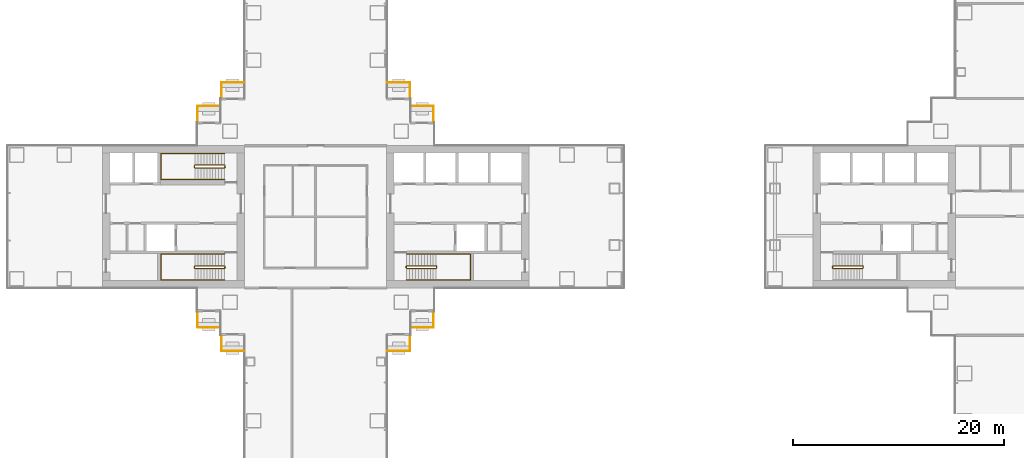
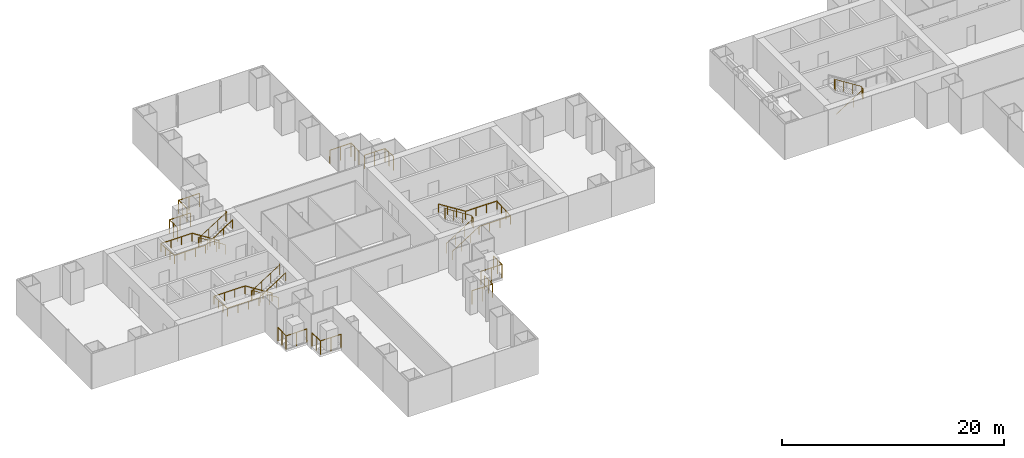
# One storey, part 19 of 21: 15 railings.
"""IFC4 building model written with IfcOpenShell, lengths in metres."""

from ifc_helpers import new_model, si_unit, direction, frame, origin, origin_2d, place, context, subcontext, project, spatial, circle, extrude, material, type_object, element, save


model = new_model("IFC4")

# Units and contexts
model_context = context("Model", 3, precision=1e-05, world=origin(), true_north=direction((0.0, 1.0)))
body_context = subcontext(model_context, "Body", "Model", "MODEL_VIEW")
ifc_project = project(units=[si_unit("LENGTHUNIT", "METRE"), si_unit("AREAUNIT", "SQUARE_METRE"), si_unit("VOLUMEUNIT", "CUBIC_METRE"), si_unit("PLANEANGLEUNIT", "RADIAN"), si_unit("MASSUNIT", "GRAM", prefix="KILO")], contexts=[model_context])

# Site, building, storey
site_placement = place(None, origin())
site = spatial("IfcSite", under=ifc_project, at=site_placement, CompositionType="ELEMENT")
building_placement = place(site_placement, origin())
building = spatial("IfcBuilding", under=site, at=building_placement, Name="Shamsa Quay Exchange Towers", CompositionType="ELEMENT")
storey_placement = place(building_placement, frame((0.0, 0.0, 65.39990234375)))
storey = spatial("IfcBuildingStorey", under=building, at=storey_placement, Name="L14", CompositionType="ELEMENT", Elevation=65.39990234375)

# Railings
ifc_material_1 = material(Name="Steel S355, black powder-coated", Category="steel")
railing_type_1 = type_object("IfcRailingType", Name="BALCONY GUARD 1500", PredefinedType="GUARDRAIL", material=ifc_material_1)
for number, where, name in (
    (1, (-22.550048828125, 9.02099609375, 0.0), "Balcony guard T1-PKEN L14"),
    (2, (-24.800048828125, 11.27099609375, 0.0), "Balcony guard T1-PKEN L14"),
):
    element("IfcRailing", number, at=place(storey_placement, frame(where)), inside=storey, type_object=railing_type_1, Name=name, PredefinedType="GUARDRAIL", context=body_context, shape_type="SweptSolid", body=[
        extrude(circle(Radius=0.02392578125, at=origin_2d()), frame((0.0, 0.0, 1.47607421875), z_axis=(0.0, 1.0, 0.0), x_axis=(-1.0, 0.0, 0.0)), (0.0, 0.0, 1.0), 1.47900390625),
        extrude(circle(Radius=0.02392578125, at=origin_2d()), frame((0.0, 1.47900390625, 1.47607421875), z_axis=(-1.0, 0.0, 0.0), x_axis=(0.0, -1.0, 0.0)), (0.0, 0.0, 1.0), 2.161865234375),
        extrude(circle(Radius=0.02099609375, at=origin_2d()), origin(), (0.0, 0.0, 1.0), 1.451904296875),
        extrude(circle(Radius=0.02099609375, at=origin_2d()), frame((0.0, 0.739501953125, 0.0)), (0.0, 0.0, 1.0), 1.451904296875),
        extrude(circle(Radius=0.02099609375, at=origin_2d()), frame((0.0, 1.47900390625, 0.0)), (0.0, 0.0, 1.0), 1.451904296875),
        extrude(circle(Radius=0.02099609375, at=origin_2d()), frame((-1.0810546875, 1.47900390625, 0.0)), (0.0, 0.0, 1.0), 1.451904296875),
        extrude(circle(Radius=0.02099609375, at=origin_2d()), frame((-2.161865234375, 1.47900390625, 0.0)), (0.0, 0.0, 1.0), 1.451904296875),
    ])
for number, where, name in (
    (3, (-24.7119140625, -10.5, 0.0), "Balcony guard T1-PKES L14"),
    (4, (-26.9619140625, -12.75, 0.0), "Balcony guard T1-PKES L14"),
):
    element("IfcRailing", number, at=place(storey_placement, frame(where)), inside=storey, type_object=railing_type_1, Name=name, PredefinedType="GUARDRAIL", context=body_context, shape_type="SweptSolid", body=[
        extrude(circle(Radius=0.02392578125, at=origin_2d()), frame((0.0, 0.0, 1.47607421875), z_axis=(1.0, 0.0, 0.0), x_axis=(0.0, 1.0, 0.0)), (0.0, 0.0, 1.0), 2.161865234375),
        extrude(circle(Radius=0.02392578125, at=origin_2d()), frame((2.161865234375, 0.0, 1.47607421875), z_axis=(0.0, 1.0, 0.0), x_axis=(-1.0, 0.0, 0.0)), (0.0, 0.0, 1.0), 1.47900390625),
        extrude(circle(Radius=0.02099609375, at=origin_2d()), origin(), (0.0, 0.0, 1.0), 1.451904296875),
        extrude(circle(Radius=0.02099609375, at=origin_2d()), frame((1.0810546875, 0.0, 0.0)), (0.0, 0.0, 1.0), 1.451904296875),
        extrude(circle(Radius=0.02099609375, at=origin_2d()), frame((2.161865234375, 0.0, 0.0)), (0.0, 0.0, 1.0), 1.451904296875),
        extrude(circle(Radius=0.02099609375, at=origin_2d()), frame((2.161865234375, 0.739501953125, 0.0)), (0.0, 0.0, 1.0), 1.451904296875),
        extrude(circle(Radius=0.02099609375, at=origin_2d()), frame((2.161865234375, 1.47900390625, 0.0)), (0.0, 0.0, 1.0), 1.451904296875),
    ])
for number, where, name in (
    (5, (-40.5380859375, 12.75, 0.0), "Balcony guard T1-PKWN L14"),
    (6, (-42.7880859375, 10.5, 0.0), "Balcony guard T1-PKWN L14"),
):
    element("IfcRailing", number, at=place(storey_placement, frame(where)), inside=storey, type_object=railing_type_1, Name=name, PredefinedType="GUARDRAIL", context=body_context, shape_type="SweptSolid", body=[
        extrude(circle(Radius=0.02392578125, at=origin_2d()), frame((0.0, 0.0, 1.47607421875), z_axis=(-1.0, 0.0, 0.0), x_axis=(0.0, -1.0, 0.0)), (0.0, 0.0, 1.0), 2.161865234375),
        extrude(circle(Radius=0.02392578125, at=origin_2d()), frame((-2.161865234375, 0.0, 1.47607421875), z_axis=(0.0, -1.0, 0.0), x_axis=(1.0, 0.0, 0.0)), (0.0, 0.0, 1.0), 1.47900390625),
        extrude(circle(Radius=0.02099609375, at=origin_2d()), origin(), (0.0, 0.0, 1.0), 1.451904296875),
        extrude(circle(Radius=0.02099609375, at=origin_2d()), frame((-1.0810546875, 0.0, 0.0)), (0.0, 0.0, 1.0), 1.451904296875),
        extrude(circle(Radius=0.02099609375, at=origin_2d()), frame((-2.161865234375, 0.0, 0.0)), (0.0, 0.0, 1.0), 1.451904296875),
        extrude(circle(Radius=0.02099609375, at=origin_2d()), frame((-2.161865234375, -0.739501953125, 0.0)), (0.0, 0.0, 1.0), 1.451904296875),
        extrude(circle(Radius=0.02099609375, at=origin_2d()), frame((-2.161865234375, -1.47900390625, 0.0)), (0.0, 0.0, 1.0), 1.451904296875),
    ])
for number, where, name in (
    (7, (-44.949951171875, -9.02099609375, 0.0), "Balcony guard T1-PKWS L14"),
    (8, (-42.699951171875, -11.27099609375, 0.0), "Balcony guard T1-PKWS L14"),
):
    element("IfcRailing", number, at=place(storey_placement, frame(where)), inside=storey, type_object=railing_type_1, Name=name, PredefinedType="GUARDRAIL", context=body_context, shape_type="SweptSolid", body=[
        extrude(circle(Radius=0.02392578125, at=origin_2d()), frame((0.0, 0.0, 1.47607421875), z_axis=(0.0, -1.0, 0.0), x_axis=(1.0, 0.0, 0.0)), (0.0, 0.0, 1.0), 1.47900390625),
        extrude(circle(Radius=0.02392578125, at=origin_2d()), frame((0.0, -1.47900390625, 1.47607421875), z_axis=(1.0, 0.0, 0.0), x_axis=(0.0, 1.0, 0.0)), (0.0, 0.0, 1.0), 2.161865234375),
        extrude(circle(Radius=0.02099609375, at=origin_2d()), origin(), (0.0, 0.0, 1.0), 1.451904296875),
        extrude(circle(Radius=0.02099609375, at=origin_2d()), frame((0.0, -0.739501953125, 0.0)), (0.0, 0.0, 1.0), 1.451904296875),
        extrude(circle(Radius=0.02099609375, at=origin_2d()), frame((0.0, -1.47900390625, 0.0)), (0.0, 0.0, 1.0), 1.451904296875),
        extrude(circle(Radius=0.02099609375, at=origin_2d()), frame((1.0810546875, -1.47900390625, 0.0)), (0.0, 0.0, 1.0), 1.451904296875),
        extrude(circle(Radius=0.02099609375, at=origin_2d()), frame((2.161865234375, -1.47900390625, 0.0)), (0.0, 0.0, 1.0), 1.451904296875),
    ])
ifc_material_2 = material(Name="Stainless steel", Category="steel")
railing_type_2 = type_object("IfcRailingType", Name="STAIR GUARD 1100", PredefinedType="GUARDRAIL", material=ifc_material_2)
railing_1_placement = place(storey_placement, frame((-25.10009765625, -4.89990234375, 0.177490234375)))
element("IfcRailing", 9, at=railing_1_placement, inside=storey, type_object=railing_type_2, Name="L14 ST1 stair guard 1", PredefinedType="GUARDRAIL", context=body_context, shape_type="SweptSolid", body=[
    extrude(circle(Radius=0.02392578125, at=origin_2d()), frame((0.0, 0.0, 1.076171875), z_axis=(0.844908973607, 0.0, 0.534910110503), x_axis=(0.0, 1.0, 0.0)), (0.0, 0.0, 1.0), 3.31396484375),
    extrude(circle(Radius=0.02392578125, at=origin_2d()), frame((2.800048828125, 0.0, 2.8486328125), z_axis=(0.708833529934, 0.705375805398, 0.0), x_axis=(-0.705375805398, 0.708833529934, 0.0)), (0.0, 0.0, 1.0), 0.070556640625),
    extrude(circle(Radius=0.02392578125, at=origin_2d()), frame((2.85009765625, 0.0498046875, 2.8486328125), z_axis=(0.0, 1.0, 0.0), x_axis=(-1.0, 0.0, 0.0)), (0.0, 0.0, 1.0), 0.150146484375),
    extrude(circle(Radius=0.02392578125, at=origin_2d()), frame((2.85009765625, 0.199951171875, 2.8486328125), z_axis=(-0.262233686654, 0.262233686654, 0.928691007369), x_axis=(-0.707106781187, -0.707106781187, 0.0)), (0.0, 0.0, 1.0), 0.19091796875),
    extrude(circle(Radius=0.02392578125, at=origin_2d()), frame((2.800048828125, 0.25, 3.02587890625), z_axis=(-0.844908973607, 0.0, 0.534910110503), x_axis=(0.0, -1.0, 0.0)), (0.0, 0.0, 1.0), 3.31396484375),
    extrude(circle(Radius=0.02392578125, at=origin_2d()), frame((0.0, 0.25, 4.798828125), z_axis=(-0.24142163986, -0.970420317083, 0.0), x_axis=(0.970420317083, -0.24142163986, 0.0)), (0.0, 0.0, 1.0), 0.206298828125),
    extrude(circle(Radius=0.02392578125, at=origin_2d()), frame((-0.0498046875, 0.0498046875, 4.798828125), z_axis=(0.0, 1.0, 0.0), x_axis=(-1.0, 0.0, 0.0)), (0.0, 0.0, 1.0), 0.150146484375),
    extrude(circle(Radius=0.02099609375, at=origin_2d()), origin(), (0.0, 0.0, 1.0), 1.052001953125),
    extrude(circle(Radius=0.02099609375, at=origin_2d()), frame((0.933349609375, 0.0, 0.5908203125)), (0.0, 0.0, 1.0), 1.052001953125),
    extrude(circle(Radius=0.02099609375, at=origin_2d()), frame((1.86669921875, 0.0, 1.181884765625)), (0.0, 0.0, 1.0), 1.052001953125),
    extrude(circle(Radius=0.02099609375, at=origin_2d()), frame((2.800048828125, 0.0, 1.772705078125)), (0.0, 0.0, 1.0), 1.052001953125),
    extrude(circle(Radius=0.02099609375, at=origin_2d()), frame((2.85009765625, 0.0498046875, 1.772705078125)), (0.0, 0.0, 1.0), 1.052001953125),
    extrude(circle(Radius=0.02099609375, at=origin_2d()), frame((2.85009765625, 0.199951171875, 1.772705078125)), (0.0, 0.0, 1.0), 1.052001953125),
    extrude(circle(Radius=0.02099609375, at=origin_2d()), frame((2.800048828125, 0.25, 1.949951171875)), (0.0, 0.0, 1.0), 1.052001953125),
    extrude(circle(Radius=0.02099609375, at=origin_2d()), frame((1.86669921875, 0.25, 2.540771484375)), (0.0, 0.0, 1.0), 1.052001953125),
    extrude(circle(Radius=0.02099609375, at=origin_2d()), frame((0.933349609375, 0.25, 3.1318359375)), (0.0, 0.0, 1.0), 1.052001953125),
    extrude(circle(Radius=0.02099609375, at=origin_2d()), frame((0.0, 0.25, 3.72265625)), (0.0, 0.0, 1.0), 1.052001953125),
    extrude(circle(Radius=0.02099609375, at=origin_2d()), frame((-0.0498046875, 0.0498046875, 3.72265625)), (0.0, 0.0, 1.0), 1.052001953125),
    extrude(circle(Radius=0.02099609375, at=origin_2d()), frame((-0.0498046875, 0.199951171875, 3.72265625)), (0.0, 0.0, 1.0), 1.052001953125),
])
railing_2_placement = place(storey_placement, frame((-42.39990234375, -4.64990234375, 0.177490234375)))
element("IfcRailing", 10, at=railing_2_placement, inside=storey, type_object=railing_type_2, Name="L14 ST2 stair guard 1", PredefinedType="GUARDRAIL", context=body_context, shape_type="SweptSolid", body=[
    extrude(circle(Radius=0.02392578125, at=origin_2d()), frame((0.0, 0.0, 1.076171875), z_axis=(-0.844908973607, 0.0, 0.534910110503), x_axis=(0.0, -1.0, 0.0)), (0.0, 0.0, 1.0), 3.31396484375),
    extrude(circle(Radius=0.02392578125, at=origin_2d()), frame((-2.800048828125, 0.0, 2.8486328125), z_axis=(-0.707106781187, -0.707106781187, 0.0), x_axis=(0.707106781187, -0.707106781187, 0.0)), (0.0, 0.0, 1.0), 0.07080078125),
    extrude(circle(Radius=0.02392578125, at=origin_2d()), frame((-2.85009765625, -0.050048828125, 2.8486328125), z_axis=(0.0, -1.0, 0.0), x_axis=(1.0, 0.0, 0.0)), (0.0, 0.0, 1.0), 0.150146484375),
    extrude(circle(Radius=0.02392578125, at=origin_2d()), frame((-2.85009765625, -0.2001953125, 2.8486328125), z_axis=(0.262321481514, -0.261041864531, 0.929001929653), x_axis=(0.705375805398, 0.708833529934, 0.0)), (0.0, 0.0, 1.0), 0.190673828125),
    extrude(circle(Radius=0.02392578125, at=origin_2d()), frame((-2.800048828125, -0.25, 3.02587890625), z_axis=(0.844908973607, 0.0, 0.534910110503), x_axis=(0.0, 1.0, 0.0)), (0.0, 0.0, 1.0), 3.31396484375),
    extrude(circle(Radius=0.02392578125, at=origin_2d()), frame((0.0, -0.25, 4.798828125), z_axis=(0.241699205484, 0.970351222016, 0.0), x_axis=(-0.970351222016, 0.241699205484, 0.0)), (0.0, 0.0, 1.0), 0.2060546875),
    extrude(circle(Radius=0.02392578125, at=origin_2d()), frame((0.0498046875, -0.050048828125, 4.798828125), z_axis=(0.0, -1.0, 0.0), x_axis=(1.0, 0.0, 0.0)), (0.0, 0.0, 1.0), 0.150146484375),
    extrude(circle(Radius=0.02099609375, at=origin_2d()), origin(), (0.0, 0.0, 1.0), 1.052001953125),
    extrude(circle(Radius=0.02099609375, at=origin_2d()), frame((-0.933349609375, 0.0, 0.5908203125)), (0.0, 0.0, 1.0), 1.052001953125),
    extrude(circle(Radius=0.02099609375, at=origin_2d()), frame((-1.86669921875, 0.0, 1.181884765625)), (0.0, 0.0, 1.0), 1.052001953125),
    extrude(circle(Radius=0.02099609375, at=origin_2d()), frame((-2.800048828125, 0.0, 1.772705078125)), (0.0, 0.0, 1.0), 1.052001953125),
    extrude(circle(Radius=0.02099609375, at=origin_2d()), frame((-2.85009765625, -0.050048828125, 1.772705078125)), (0.0, 0.0, 1.0), 1.052001953125),
    extrude(circle(Radius=0.02099609375, at=origin_2d()), frame((-2.85009765625, -0.2001953125, 1.772705078125)), (0.0, 0.0, 1.0), 1.052001953125),
    extrude(circle(Radius=0.02099609375, at=origin_2d()), frame((-2.800048828125, -0.25, 1.949951171875)), (0.0, 0.0, 1.0), 1.052001953125),
    extrude(circle(Radius=0.02099609375, at=origin_2d()), frame((-1.86669921875, -0.25, 2.540771484375)), (0.0, 0.0, 1.0), 1.052001953125),
    extrude(circle(Radius=0.02099609375, at=origin_2d()), frame((-0.933349609375, -0.25, 3.1318359375)), (0.0, 0.0, 1.0), 1.052001953125),
    extrude(circle(Radius=0.02099609375, at=origin_2d()), frame((0.0, -0.25, 3.72265625)), (0.0, 0.0, 1.0), 1.052001953125),
    extrude(circle(Radius=0.02099609375, at=origin_2d()), frame((0.0498046875, -0.050048828125, 3.72265625)), (0.0, 0.0, 1.0), 1.052001953125),
    extrude(circle(Radius=0.02099609375, at=origin_2d()), frame((0.0498046875, -0.2001953125, 3.72265625)), (0.0, 0.0, 1.0), 1.052001953125),
])
railing_3_placement = place(storey_placement, frame((-42.39990234375, 4.89990234375, 0.177490234375)))
element("IfcRailing", 11, at=railing_3_placement, inside=storey, type_object=railing_type_2, Name="L14 ST3 stair guard 1", PredefinedType="GUARDRAIL", context=body_context, shape_type="SweptSolid", body=[
    extrude(circle(Radius=0.02392578125, at=origin_2d()), frame((0.0, 0.0, 1.076171875), z_axis=(-0.844908973607, 0.0, 0.534910110503), x_axis=(0.0, -1.0, 0.0)), (0.0, 0.0, 1.0), 3.31396484375),
    extrude(circle(Radius=0.02392578125, at=origin_2d()), frame((-2.800048828125, 0.0, 2.8486328125), z_axis=(-0.708833529934, -0.705375805398, 0.0), x_axis=(0.705375805398, -0.708833529934, 0.0)), (0.0, 0.0, 1.0), 0.070556640625),
    extrude(circle(Radius=0.02392578125, at=origin_2d()), frame((-2.85009765625, -0.0498046875, 2.8486328125), z_axis=(0.0, -1.0, 0.0), x_axis=(1.0, 0.0, 0.0)), (0.0, 0.0, 1.0), 0.150146484375),
    extrude(circle(Radius=0.02392578125, at=origin_2d()), frame((-2.85009765625, -0.199951171875, 2.8486328125), z_axis=(0.262233686654, -0.262233686654, 0.928691007369), x_axis=(0.707106781187, 0.707106781187, 0.0)), (0.0, 0.0, 1.0), 0.19091796875),
    extrude(circle(Radius=0.02392578125, at=origin_2d()), frame((-2.800048828125, -0.25, 3.02587890625), z_axis=(0.844908973607, 0.0, 0.534910110503), x_axis=(0.0, 1.0, 0.0)), (0.0, 0.0, 1.0), 3.31396484375),
    extrude(circle(Radius=0.02392578125, at=origin_2d()), frame((0.0, -0.25, 4.798828125), z_axis=(0.24142163986, 0.970420317083, 0.0), x_axis=(-0.970420317083, 0.24142163986, 0.0)), (0.0, 0.0, 1.0), 0.206298828125),
    extrude(circle(Radius=0.02392578125, at=origin_2d()), frame((0.0498046875, -0.0498046875, 4.798828125), z_axis=(0.0, -1.0, 0.0), x_axis=(1.0, 0.0, 0.0)), (0.0, 0.0, 1.0), 0.150146484375),
    extrude(circle(Radius=0.02099609375, at=origin_2d()), origin(), (0.0, 0.0, 1.0), 1.052001953125),
    extrude(circle(Radius=0.02099609375, at=origin_2d()), frame((-0.933349609375, 0.0, 0.5908203125)), (0.0, 0.0, 1.0), 1.052001953125),
    extrude(circle(Radius=0.02099609375, at=origin_2d()), frame((-1.86669921875, 0.0, 1.181884765625)), (0.0, 0.0, 1.0), 1.052001953125),
    extrude(circle(Radius=0.02099609375, at=origin_2d()), frame((-2.800048828125, 0.0, 1.772705078125)), (0.0, 0.0, 1.0), 1.052001953125),
    extrude(circle(Radius=0.02099609375, at=origin_2d()), frame((-2.85009765625, -0.0498046875, 1.772705078125)), (0.0, 0.0, 1.0), 1.052001953125),
    extrude(circle(Radius=0.02099609375, at=origin_2d()), frame((-2.85009765625, -0.199951171875, 1.772705078125)), (0.0, 0.0, 1.0), 1.052001953125),
    extrude(circle(Radius=0.02099609375, at=origin_2d()), frame((-2.800048828125, -0.25, 1.949951171875)), (0.0, 0.0, 1.0), 1.052001953125),
    extrude(circle(Radius=0.02099609375, at=origin_2d()), frame((-1.86669921875, -0.25, 2.540771484375)), (0.0, 0.0, 1.0), 1.052001953125),
    extrude(circle(Radius=0.02099609375, at=origin_2d()), frame((-0.933349609375, -0.25, 3.1318359375)), (0.0, 0.0, 1.0), 1.052001953125),
    extrude(circle(Radius=0.02099609375, at=origin_2d()), frame((0.0, -0.25, 3.72265625)), (0.0, 0.0, 1.0), 1.052001953125),
    extrude(circle(Radius=0.02099609375, at=origin_2d()), frame((0.0498046875, -0.0498046875, 3.72265625)), (0.0, 0.0, 1.0), 1.052001953125),
    extrude(circle(Radius=0.02099609375, at=origin_2d()), frame((0.0498046875, -0.199951171875, 3.72265625)), (0.0, 0.0, 1.0), 1.052001953125),
])
railing_4_placement = place(storey_placement, frame((15.39990234375, -4.89990234375, 0.177490234375)))
element("IfcRailing", 12, at=railing_4_placement, inside=storey, type_object=railing_type_2, Name="L14 ST4 stair guard 1", PredefinedType="GUARDRAIL", context=body_context, shape_type="SweptSolid", body=[
    extrude(circle(Radius=0.02392578125, at=origin_2d()), frame((0.0, 0.0, 1.076171875), z_axis=(0.844908973607, 0.0, 0.534910110503), x_axis=(0.0, 1.0, 0.0)), (0.0, 0.0, 1.0), 3.31396484375),
    extrude(circle(Radius=0.02392578125, at=origin_2d()), frame((2.800048828125, 0.0, 2.8486328125), z_axis=(0.708833529934, 0.705375805398, 0.0), x_axis=(-0.705375805398, 0.708833529934, 0.0)), (0.0, 0.0, 1.0), 0.070556640625),
    extrude(circle(Radius=0.02392578125, at=origin_2d()), frame((2.85009765625, 0.0498046875, 2.8486328125), z_axis=(0.0, 1.0, 0.0), x_axis=(-1.0, 0.0, 0.0)), (0.0, 0.0, 1.0), 0.150146484375),
    extrude(circle(Radius=0.02392578125, at=origin_2d()), frame((2.85009765625, 0.199951171875, 2.8486328125), z_axis=(-0.262233686654, 0.262233686654, 0.928691007369), x_axis=(-0.707106781187, -0.707106781187, 0.0)), (0.0, 0.0, 1.0), 0.19091796875),
    extrude(circle(Radius=0.02392578125, at=origin_2d()), frame((2.800048828125, 0.25, 3.02587890625), z_axis=(-0.844908973607, 0.0, 0.534910110503), x_axis=(0.0, -1.0, 0.0)), (0.0, 0.0, 1.0), 3.31396484375),
    extrude(circle(Radius=0.02392578125, at=origin_2d()), frame((0.0, 0.25, 4.798828125), z_axis=(-0.24142163986, -0.970420317083, 0.0), x_axis=(0.970420317083, -0.24142163986, 0.0)), (0.0, 0.0, 1.0), 0.206298828125),
    extrude(circle(Radius=0.02392578125, at=origin_2d()), frame((-0.0498046875, 0.0498046875, 4.798828125), z_axis=(0.0, 1.0, 0.0), x_axis=(-1.0, 0.0, 0.0)), (0.0, 0.0, 1.0), 0.150146484375),
    extrude(circle(Radius=0.02099609375, at=origin_2d()), origin(), (0.0, 0.0, 1.0), 1.052001953125),
    extrude(circle(Radius=0.02099609375, at=origin_2d()), frame((0.933349609375, 0.0, 0.5908203125)), (0.0, 0.0, 1.0), 1.052001953125),
    extrude(circle(Radius=0.02099609375, at=origin_2d()), frame((1.86669921875, 0.0, 1.181884765625)), (0.0, 0.0, 1.0), 1.052001953125),
    extrude(circle(Radius=0.02099609375, at=origin_2d()), frame((2.800048828125, 0.0, 1.772705078125)), (0.0, 0.0, 1.0), 1.052001953125),
    extrude(circle(Radius=0.02099609375, at=origin_2d()), frame((2.85009765625, 0.0498046875, 1.772705078125)), (0.0, 0.0, 1.0), 1.052001953125),
    extrude(circle(Radius=0.02099609375, at=origin_2d()), frame((2.85009765625, 0.199951171875, 1.772705078125)), (0.0, 0.0, 1.0), 1.052001953125),
    extrude(circle(Radius=0.02099609375, at=origin_2d()), frame((2.800048828125, 0.25, 1.949951171875)), (0.0, 0.0, 1.0), 1.052001953125),
    extrude(circle(Radius=0.02099609375, at=origin_2d()), frame((1.86669921875, 0.25, 2.540771484375)), (0.0, 0.0, 1.0), 1.052001953125),
    extrude(circle(Radius=0.02099609375, at=origin_2d()), frame((0.933349609375, 0.25, 3.1318359375)), (0.0, 0.0, 1.0), 1.052001953125),
    extrude(circle(Radius=0.02099609375, at=origin_2d()), frame((0.0, 0.25, 3.72265625)), (0.0, 0.0, 1.0), 1.052001953125),
    extrude(circle(Radius=0.02099609375, at=origin_2d()), frame((-0.0498046875, 0.0498046875, 3.72265625)), (0.0, 0.0, 1.0), 1.052001953125),
    extrude(circle(Radius=0.02099609375, at=origin_2d()), frame((-0.0498046875, 0.199951171875, 3.72265625)), (0.0, 0.0, 1.0), 1.052001953125),
])
railing_type_3 = type_object("IfcRailingType", Name="STAIR HANDRAIL 900", PredefinedType="HANDRAIL", material=ifc_material_2)
railing_5_placement = place(storey_placement, frame((-25.10009765625, -6.0, 0.177490234375)))
element("IfcRailing", 13, at=railing_5_placement, inside=storey, type_object=railing_type_3, Name="L14 ST1 stair handrail 1", PredefinedType="HANDRAIL", context=body_context, shape_type="SweptSolid", body=[
    extrude(circle(Radius=0.02392578125, at=origin_2d()), frame((0.0, 0.0, 0.8759765625), z_axis=(0.844908973607, 0.0, 0.534910110503), x_axis=(0.0, 1.0, 0.0)), (0.0, 0.0, 1.0), 3.31396484375),
    extrude(circle(Radius=0.02392578125, at=origin_2d()), frame((2.800048828125, 0.0, 2.6484375), z_axis=(1.0, 0.0, 0.0), x_axis=(0.0, 1.0, 0.0)), (0.0, 0.0, 1.0), 3.25),
    extrude(circle(Radius=0.02392578125, at=origin_2d()), frame((6.050048828125, 0.0, 2.6484375), z_axis=(0.0, 0.997393199914, 0.07215819264), x_axis=(-1.0, 0.0, 0.0)), (0.0, 0.0, 1.0), 2.456298828125),
    extrude(circle(Radius=0.02392578125, at=origin_2d()), frame((6.050048828125, 2.449951171875, 2.82568359375), z_axis=(-1.0, 0.0, 0.0), x_axis=(0.0, -1.0, 0.0)), (0.0, 0.0, 1.0), 3.25),
    extrude(circle(Radius=0.02392578125, at=origin_2d()), frame((2.800048828125, 2.449951171875, 2.82568359375), z_axis=(-0.844908973607, 0.0, 0.534910110503), x_axis=(0.0, -1.0, 0.0)), (0.0, 0.0, 1.0), 3.31396484375),
    extrude(circle(Radius=0.02099609375, at=origin_2d()), origin(), (0.0, 0.0, 1.0), 0.851806640625),
    extrude(circle(Radius=0.02099609375, at=origin_2d()), frame((0.933349609375, 0.0, 0.5908203125)), (0.0, 0.0, 1.0), 0.851806640625),
    extrude(circle(Radius=0.02099609375, at=origin_2d()), frame((1.86669921875, 0.0, 1.181884765625)), (0.0, 0.0, 1.0), 0.851806640625),
    extrude(circle(Radius=0.02099609375, at=origin_2d()), frame((2.800048828125, 0.0, 1.772705078125)), (0.0, 0.0, 1.0), 0.851806640625),
    extrude(circle(Radius=0.02099609375, at=origin_2d()), frame((3.88330078125, 0.0, 1.772705078125)), (0.0, 0.0, 1.0), 0.851806640625),
    extrude(circle(Radius=0.02099609375, at=origin_2d()), frame((4.966796875, 0.0, 1.772705078125)), (0.0, 0.0, 1.0), 0.851806640625),
    extrude(circle(Radius=0.02099609375, at=origin_2d()), frame((6.050048828125, 0.0, 1.772705078125)), (0.0, 0.0, 1.0), 0.851806640625),
    extrude(circle(Radius=0.02099609375, at=origin_2d()), frame((6.050048828125, 0.816650390625, 1.831787109375)), (0.0, 0.0, 1.0), 0.851806640625),
    extrude(circle(Radius=0.02099609375, at=origin_2d()), frame((6.050048828125, 1.63330078125, 1.890869140625)), (0.0, 0.0, 1.0), 0.851806640625),
    extrude(circle(Radius=0.02099609375, at=origin_2d()), frame((6.050048828125, 2.449951171875, 1.949951171875)), (0.0, 0.0, 1.0), 0.851806640625),
    extrude(circle(Radius=0.02099609375, at=origin_2d()), frame((4.966796875, 2.449951171875, 1.949951171875)), (0.0, 0.0, 1.0), 0.851806640625),
    extrude(circle(Radius=0.02099609375, at=origin_2d()), frame((3.88330078125, 2.449951171875, 1.949951171875)), (0.0, 0.0, 1.0), 0.851806640625),
    extrude(circle(Radius=0.02099609375, at=origin_2d()), frame((2.800048828125, 2.449951171875, 1.949951171875)), (0.0, 0.0, 1.0), 0.851806640625),
    extrude(circle(Radius=0.02099609375, at=origin_2d()), frame((1.86669921875, 2.449951171875, 2.540771484375)), (0.0, 0.0, 1.0), 0.851806640625),
    extrude(circle(Radius=0.02099609375, at=origin_2d()), frame((0.933349609375, 2.449951171875, 3.1318359375)), (0.0, 0.0, 1.0), 0.851806640625),
    extrude(circle(Radius=0.02099609375, at=origin_2d()), frame((0.0, 2.449951171875, 3.72265625)), (0.0, 0.0, 1.0), 0.851806640625),
])
railing_6_placement = place(storey_placement, frame((-42.39990234375, -3.550048828125, 0.177490234375)))
element("IfcRailing", 14, at=railing_6_placement, inside=storey, type_object=railing_type_3, Name="L14 ST2 stair handrail 1", PredefinedType="HANDRAIL", context=body_context, shape_type="SweptSolid", body=[
    extrude(circle(Radius=0.02392578125, at=origin_2d()), frame((0.0, 0.0, 0.8759765625), z_axis=(-0.844908973607, 0.0, 0.534910110503), x_axis=(0.0, -1.0, 0.0)), (0.0, 0.0, 1.0), 3.31396484375),
    extrude(circle(Radius=0.02392578125, at=origin_2d()), frame((-2.800048828125, 0.0, 2.6484375), z_axis=(-1.0, 0.0, 0.0), x_axis=(0.0, -1.0, 0.0)), (0.0, 0.0, 1.0), 3.25),
    extrude(circle(Radius=0.02392578125, at=origin_2d()), frame((-6.050048828125, 0.0, 2.6484375), z_axis=(0.0, -0.997393199914, 0.07215819264), x_axis=(1.0, 0.0, 0.0)), (0.0, 0.0, 1.0), 2.456298828125),
    extrude(circle(Radius=0.02392578125, at=origin_2d()), frame((-6.050048828125, -2.449951171875, 2.82568359375), z_axis=(1.0, 0.0, 0.0), x_axis=(0.0, 1.0, 0.0)), (0.0, 0.0, 1.0), 3.25),
    extrude(circle(Radius=0.02392578125, at=origin_2d()), frame((-2.800048828125, -2.449951171875, 2.82568359375), z_axis=(0.844908973607, 0.0, 0.534910110503), x_axis=(0.0, 1.0, 0.0)), (0.0, 0.0, 1.0), 3.31396484375),
    extrude(circle(Radius=0.02099609375, at=origin_2d()), origin(), (0.0, 0.0, 1.0), 0.851806640625),
    extrude(circle(Radius=0.02099609375, at=origin_2d()), frame((-0.933349609375, 0.0, 0.5908203125)), (0.0, 0.0, 1.0), 0.851806640625),
    extrude(circle(Radius=0.02099609375, at=origin_2d()), frame((-1.86669921875, 0.0, 1.181884765625)), (0.0, 0.0, 1.0), 0.851806640625),
    extrude(circle(Radius=0.02099609375, at=origin_2d()), frame((-2.800048828125, 0.0, 1.772705078125)), (0.0, 0.0, 1.0), 0.851806640625),
    extrude(circle(Radius=0.02099609375, at=origin_2d()), frame((-3.88330078125, 0.0, 1.772705078125)), (0.0, 0.0, 1.0), 0.851806640625),
    extrude(circle(Radius=0.02099609375, at=origin_2d()), frame((-4.966796875, 0.0, 1.772705078125)), (0.0, 0.0, 1.0), 0.851806640625),
    extrude(circle(Radius=0.02099609375, at=origin_2d()), frame((-6.050048828125, 0.0, 1.772705078125)), (0.0, 0.0, 1.0), 0.851806640625),
    extrude(circle(Radius=0.02099609375, at=origin_2d()), frame((-6.050048828125, -0.816650390625, 1.831787109375)), (0.0, 0.0, 1.0), 0.851806640625),
    extrude(circle(Radius=0.02099609375, at=origin_2d()), frame((-6.050048828125, -1.63330078125, 1.890869140625)), (0.0, 0.0, 1.0), 0.851806640625),
    extrude(circle(Radius=0.02099609375, at=origin_2d()), frame((-6.050048828125, -2.449951171875, 1.949951171875)), (0.0, 0.0, 1.0), 0.851806640625),
    extrude(circle(Radius=0.02099609375, at=origin_2d()), frame((-4.966796875, -2.449951171875, 1.949951171875)), (0.0, 0.0, 1.0), 0.851806640625),
    extrude(circle(Radius=0.02099609375, at=origin_2d()), frame((-3.88330078125, -2.449951171875, 1.949951171875)), (0.0, 0.0, 1.0), 0.851806640625),
    extrude(circle(Radius=0.02099609375, at=origin_2d()), frame((-2.800048828125, -2.449951171875, 1.949951171875)), (0.0, 0.0, 1.0), 0.851806640625),
    extrude(circle(Radius=0.02099609375, at=origin_2d()), frame((-1.86669921875, -2.449951171875, 2.540771484375)), (0.0, 0.0, 1.0), 0.851806640625),
    extrude(circle(Radius=0.02099609375, at=origin_2d()), frame((-0.933349609375, -2.449951171875, 3.1318359375)), (0.0, 0.0, 1.0), 0.851806640625),
    extrude(circle(Radius=0.02099609375, at=origin_2d()), frame((0.0, -2.449951171875, 3.72265625)), (0.0, 0.0, 1.0), 0.851806640625),
])
railing_7_placement = place(storey_placement, frame((-42.39990234375, 6.0, 0.177490234375)))
element("IfcRailing", 15, at=railing_7_placement, inside=storey, type_object=railing_type_3, Name="L14 ST3 stair handrail 1", PredefinedType="HANDRAIL", context=body_context, shape_type="SweptSolid", body=[
    extrude(circle(Radius=0.02392578125, at=origin_2d()), frame((0.0, 0.0, 0.8759765625), z_axis=(-0.844908973607, 0.0, 0.534910110503), x_axis=(0.0, -1.0, 0.0)), (0.0, 0.0, 1.0), 3.31396484375),
    extrude(circle(Radius=0.02392578125, at=origin_2d()), frame((-2.800048828125, 0.0, 2.6484375), z_axis=(-1.0, 0.0, 0.0), x_axis=(0.0, -1.0, 0.0)), (0.0, 0.0, 1.0), 3.25),
    extrude(circle(Radius=0.02392578125, at=origin_2d()), frame((-6.050048828125, 0.0, 2.6484375), z_axis=(0.0, -0.997393199914, 0.07215819264), x_axis=(1.0, 0.0, 0.0)), (0.0, 0.0, 1.0), 2.456298828125),
    extrude(circle(Radius=0.02392578125, at=origin_2d()), frame((-6.050048828125, -2.449951171875, 2.82568359375), z_axis=(1.0, 0.0, 0.0), x_axis=(0.0, 1.0, 0.0)), (0.0, 0.0, 1.0), 3.25),
    extrude(circle(Radius=0.02392578125, at=origin_2d()), frame((-2.800048828125, -2.449951171875, 2.82568359375), z_axis=(0.844908973607, 0.0, 0.534910110503), x_axis=(0.0, 1.0, 0.0)), (0.0, 0.0, 1.0), 3.31396484375),
    extrude(circle(Radius=0.02099609375, at=origin_2d()), origin(), (0.0, 0.0, 1.0), 0.851806640625),
    extrude(circle(Radius=0.02099609375, at=origin_2d()), frame((-0.933349609375, 0.0, 0.5908203125)), (0.0, 0.0, 1.0), 0.851806640625),
    extrude(circle(Radius=0.02099609375, at=origin_2d()), frame((-1.86669921875, 0.0, 1.181884765625)), (0.0, 0.0, 1.0), 0.851806640625),
    extrude(circle(Radius=0.02099609375, at=origin_2d()), frame((-2.800048828125, 0.0, 1.772705078125)), (0.0, 0.0, 1.0), 0.851806640625),
    extrude(circle(Radius=0.02099609375, at=origin_2d()), frame((-3.88330078125, 0.0, 1.772705078125)), (0.0, 0.0, 1.0), 0.851806640625),
    extrude(circle(Radius=0.02099609375, at=origin_2d()), frame((-4.966796875, 0.0, 1.772705078125)), (0.0, 0.0, 1.0), 0.851806640625),
    extrude(circle(Radius=0.02099609375, at=origin_2d()), frame((-6.050048828125, 0.0, 1.772705078125)), (0.0, 0.0, 1.0), 0.851806640625),
    extrude(circle(Radius=0.02099609375, at=origin_2d()), frame((-6.050048828125, -0.816650390625, 1.831787109375)), (0.0, 0.0, 1.0), 0.851806640625),
    extrude(circle(Radius=0.02099609375, at=origin_2d()), frame((-6.050048828125, -1.63330078125, 1.890869140625)), (0.0, 0.0, 1.0), 0.851806640625),
    extrude(circle(Radius=0.02099609375, at=origin_2d()), frame((-6.050048828125, -2.449951171875, 1.949951171875)), (0.0, 0.0, 1.0), 0.851806640625),
    extrude(circle(Radius=0.02099609375, at=origin_2d()), frame((-4.966796875, -2.449951171875, 1.949951171875)), (0.0, 0.0, 1.0), 0.851806640625),
    extrude(circle(Radius=0.02099609375, at=origin_2d()), frame((-3.88330078125, -2.449951171875, 1.949951171875)), (0.0, 0.0, 1.0), 0.851806640625),
    extrude(circle(Radius=0.02099609375, at=origin_2d()), frame((-2.800048828125, -2.449951171875, 1.949951171875)), (0.0, 0.0, 1.0), 0.851806640625),
    extrude(circle(Radius=0.02099609375, at=origin_2d()), frame((-1.86669921875, -2.449951171875, 2.540771484375)), (0.0, 0.0, 1.0), 0.851806640625),
    extrude(circle(Radius=0.02099609375, at=origin_2d()), frame((-0.933349609375, -2.449951171875, 3.1318359375)), (0.0, 0.0, 1.0), 0.851806640625),
    extrude(circle(Radius=0.02099609375, at=origin_2d()), frame((0.0, -2.449951171875, 3.72265625)), (0.0, 0.0, 1.0), 0.851806640625),
])

save(model, "model.ifc")
